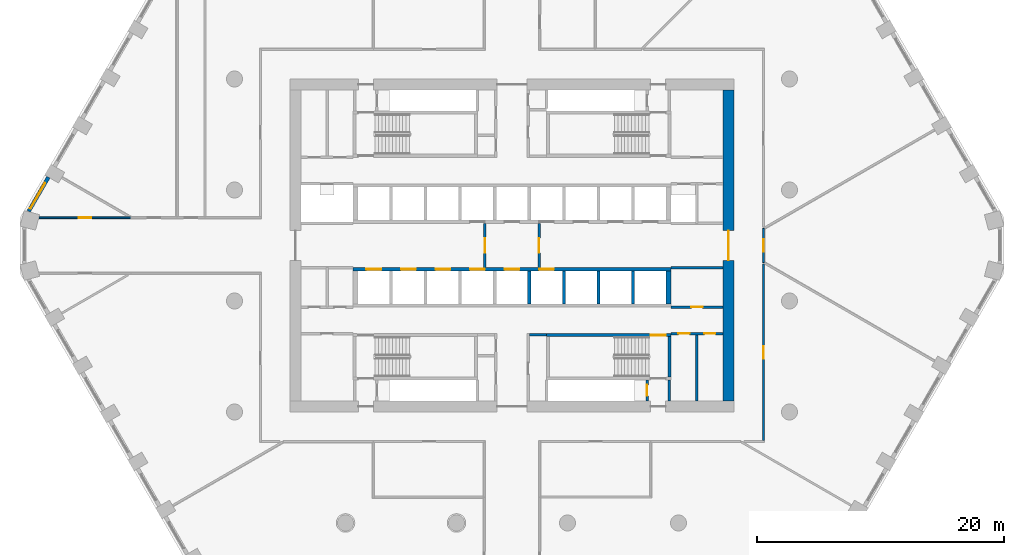
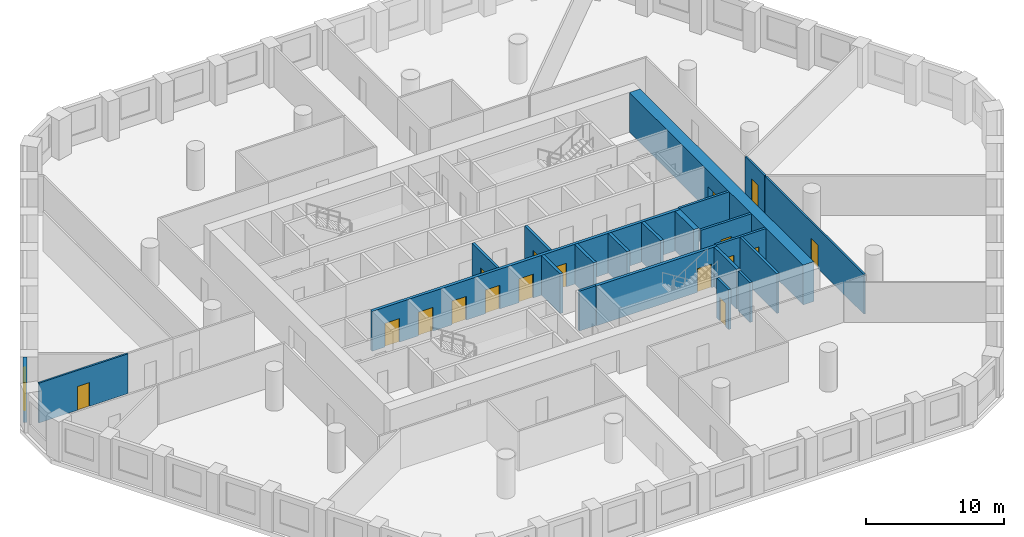
# One storey, part 4 of 14: 22 walls, 17 doors, 1 window, 18 openings.
"""IFC4 building model written with IfcOpenShell, lengths in metres."""

from ifc_helpers import new_model, si_unit, direction, frame, frame_2d, origin, place, context, subcontext, project, spatial, polyline, rectangle, outline, extrude, material, layer, layer_set, type_object, element, fill, save


model = new_model("IFC4")

# Units and contexts
model_context = context("Model", 3, precision=1e-05, world=origin(), true_north=direction((0.0, 1.0)))
body_context = subcontext(model_context, "Body", "Model", "MODEL_VIEW")
ifc_project = project(units=[si_unit("LENGTHUNIT", "METRE"), si_unit("AREAUNIT", "SQUARE_METRE"), si_unit("VOLUMEUNIT", "CUBIC_METRE"), si_unit("PLANEANGLEUNIT", "RADIAN"), si_unit("MASSUNIT", "GRAM", prefix="KILO")], contexts=[model_context])

# Site, building, storey
site_placement = place(None, origin())
site = spatial("IfcSite", under=ifc_project, at=site_placement, CompositionType="ELEMENT")
building_placement = place(site_placement, origin())
building = spatial("IfcBuilding", under=site, at=building_placement, Name="Dhurran Vertical Campus", CompositionType="ELEMENT")
storey_placement = place(building_placement, frame((0.0, 0.0, 96.89990234375)))
storey = spatial("IfcBuildingStorey", under=building, at=storey_placement, Name="L23", CompositionType="ELEMENT", Elevation=96.89990234375)

# Wall, opening, window
ifc_material_1 = material(Name="Precast concrete C50/60", Category="concrete")
ifc_layer_1 = layer(ifc_material_1, 0.300048828125)
ifc_layer_set_1 = layer_set([ifc_layer_1], Name="Precast concrete C50/60")
wall_type_1 = type_object("IfcWallType", Name="Precast spandrel wall 300", PredefinedType="SOLIDWALL", material=ifc_layer_set_1)
wall_1_placement = place(storey_placement, frame((-37.59423828125, 5.538818359375, 0.0), z_axis=(0.0, 0.0, 1.0), x_axis=(-0.500004907028, -0.866022570692, 0.0)))
wall_1 = element("IfcWall", 1, at=wall_1_placement, inside=storey, type_object=wall_type_1, Name="EW1 L23.42", PredefinedType="SOLIDWALL", context=body_context, shape_type="SweptSolid", body=[
    extrude(rectangle(XDim=3.1923828125, YDim=0.300048828125, at=frame_2d((1.59619140625, 0.0))), origin(), (0.0, 0.0, 1.0), 3.525146484375),
])
opening_1_placement = place(wall_1_placement, frame((0.549560546875, 0.0, 0.89990234375)))
opening_1 = element("IfcOpeningElement", 2, at=opening_1_placement, cuts=wall_1, Name="Opening WT1", PredefinedType="OPENING", context=body_context, shape_type="SweptSolid", body=[
    extrude(rectangle(XDim=2.39990234375, YDim=2.10009765625, at=frame_2d((1.199951171875, 1.050048828125))), frame((0.0, 0.159912109375, 0.0), z_axis=(0.0, -1.0, 0.0), x_axis=(1.0, 0.0, 0.0)), (0.0, 0.0, 1.0), 0.320068359375),
])
ifc_material_2 = material(Name="Aluminium frame with solar-control glass", Category="aluminium")
window_type = type_object("IfcWindowType", Name="Punched window 2400 x 2100", PartitioningType="SINGLE_PANEL", PredefinedType="WINDOW", material=ifc_material_2)
window_placement = place(opening_1_placement, origin())
window = element("IfcWindow", 3, at=window_placement, inside=storey, type_object=window_type, Name="WT1 L23.42", OverallHeight=2.10009765625, OverallWidth=2.39990234375, PartitioningType="SINGLE_PANEL", PredefinedType="WINDOW", context=body_context, shape_type="SweptSolid", body=[
    extrude(rectangle(XDim=2.39990234375, YDim=2.10009765625, at=frame_2d((1.199951171875, 1.050048828125))), frame((0.0, 0.030029296875, 0.0), z_axis=(0.0, -1.0, 0.0), x_axis=(1.0, 0.0, 0.0)), (0.0, 0.0, 1.0), 0.06005859375),
])
fill(opening_1, window)

# Wall, opening, door
ifc_material_3 = material(Name="Concrete C60/75", Category="concrete")
ifc_layer_2 = layer(ifc_material_3, 0.89990234375)
ifc_layer_set_2 = layer_set([ifc_layer_2], Name="Concrete C60/75")
wall_type_2 = type_object("IfcWallType", Name="co-CORE-WALL-C0-900", PredefinedType="SHEAR", material=ifc_layer_set_2)
wall_2_placement = place(storey_placement, frame((17.550048828125, -12.60009765625, 0.0), z_axis=(0.0, 0.0, 1.0), x_axis=(0.0, 1.0, 0.0)))
wall_2 = element("IfcWall", 4, at=wall_2_placement, inside=storey, type_object=wall_type_2, Name="Core wall E L23", PredefinedType="SHEAR", context=body_context, shape_type="SweptSolid", body=[
    extrude(rectangle(XDim=25.2001953125, YDim=0.89990234375, at=frame_2d((12.60009765625, 0.0))), origin(), (0.0, 0.0, 1.0), 3.525146484375),
])
opening_2_placement = place(wall_2_placement, frame((11.39990234375, 0.0, 0.0)))
opening_2 = element("IfcOpeningElement", 5, at=opening_2_placement, cuts=wall_2, Name="Opening CL2", PredefinedType="OPENING", context=body_context, shape_type="SweptSolid", body=[
    extrude(rectangle(XDim=2.39990234375, YDim=2.10009765625, at=frame_2d((1.199951171875, 1.050048828125))), frame((0.0, 0.4599609375, 0.0), z_axis=(0.0, -1.0, 0.0), x_axis=(1.0, 0.0, 0.0)), (0.0, 0.0, 1.0), 0.919921875),
])
ifc_material_4 = material(Name="Fire-rated glazed door set")
door_type_1 = type_object("IfcDoorType", Name="co-D-LOBBY 2400x2100", OperationType="DOUBLE_DOOR_DOUBLE_SWING", PredefinedType="DOOR", material=ifc_material_4)
door_1_placement = place(opening_2_placement, origin())
door_1 = element("IfcDoor", 6, at=door_1_placement, inside=storey, type_object=door_type_1, Name="Lift lobby door E L23", OperationType="DOUBLE_DOOR_DOUBLE_SWING", OverallHeight=2.10009765625, OverallWidth=2.39990234375, PredefinedType="DOOR", context=body_context, shape_type="SweptSolid", body=[
    extrude(rectangle(XDim=2.39990234375, YDim=2.10009765625, at=frame_2d((1.199951171875, 1.050048828125))), frame((0.0, 0.02490234375, 0.0), z_axis=(0.0, -1.0, 0.0), x_axis=(1.0, 0.0, 0.0)), (0.0, 0.0, 1.0), 0.050048828125),
])
fill(opening_2, door_1)

ifc_material_5 = material(Name="Fire-rated masonry blockwork", Category="masonry")
ifc_layer_3 = layer(ifc_material_5, 0.199951171875)
ifc_layer_set_3 = layer_set([ifc_layer_3], Name="Fire-rated masonry blockwork")
wall_type_3 = type_object("IfcWallType", Name="co-FIRE-PARTITION-200", PredefinedType="PARTITIONING", material=ifc_layer_set_3)
wall_3_placement = place(storey_placement, frame((-2.199951171875, -1.800048828125, 0.0), z_axis=(0.0, 0.0, 1.0), x_axis=(0.0, 1.0, 0.0)))
wall_3 = element("IfcWall", 7, at=wall_3_placement, inside=storey, type_object=wall_type_3, Name="Firefighting lobby wall W L23", PredefinedType="PARTITIONING", context=body_context, shape_type="SweptSolid", body=[
    extrude(rectangle(XDim=3.60009765625, YDim=0.199951171875, at=frame_2d((1.800048828125, 0.0))), origin(), (0.0, 0.0, 1.0), 3.525146484375),
])
opening_3_placement = place(wall_3_placement, frame((1.199951171875, 0.0, 0.0)))
opening_3 = element("IfcOpeningElement", 8, at=opening_3_placement, cuts=wall_3, Name="Opening FL1", PredefinedType="OPENING", context=body_context, shape_type="SweptSolid", body=[
    extrude(rectangle(XDim=1.199951171875, YDim=2.10009765625, at=frame_2d((0.60009765625, 1.050048828125))), frame((0.0, 0.10986328125, 0.0), z_axis=(0.0, -1.0, 0.0), x_axis=(1.0, 0.0, 0.0)), (0.0, 0.0, 1.0), 0.219970703125),
])
ifc_material_6 = material(Name="Fire-rated steel door set", Category="steel")
door_type_2 = type_object("IfcDoorType", Name="co-D-FFLOBBY 1200x2100", OperationType="SINGLE_SWING_LEFT", PredefinedType="DOOR", material=ifc_material_6)
door_2_placement = place(opening_3_placement, origin())
door_2 = element("IfcDoor", 9, at=door_2_placement, inside=storey, type_object=door_type_2, Name="Firefighting lobby door W L23", OperationType="SINGLE_SWING_LEFT", OverallHeight=2.10009765625, OverallWidth=1.199951171875, PredefinedType="DOOR", context=body_context, shape_type="SweptSolid", body=[
    extrude(rectangle(XDim=1.199951171875, YDim=2.10009765625, at=frame_2d((0.60009765625, 1.050048828125))), frame((0.0, 0.02490234375, 0.0), z_axis=(0.0, -1.0, 0.0), x_axis=(1.0, 0.0, 0.0)), (0.0, 0.0, 1.0), 0.050048828125),
])
fill(opening_3, door_2)

wall_4_placement = place(storey_placement, frame((2.199951171875, -1.800048828125, 0.0), z_axis=(0.0, 0.0, 1.0), x_axis=(0.0, 1.0, 0.0)))
wall_4 = element("IfcWall", 10, at=wall_4_placement, inside=storey, type_object=wall_type_3, Name="Firefighting lobby wall E L23", PredefinedType="PARTITIONING", context=body_context, shape_type="SweptSolid", body=[
    extrude(rectangle(XDim=3.60009765625, YDim=0.199951171875, at=frame_2d((1.800048828125, 0.0))), origin(), (0.0, 0.0, 1.0), 3.525146484375),
])
opening_4_placement = place(wall_4_placement, frame((1.199951171875, 0.0, 0.0)))
opening_4 = element("IfcOpeningElement", 11, at=opening_4_placement, cuts=wall_4, Name="Opening FL2", PredefinedType="OPENING", context=body_context, shape_type="SweptSolid", body=[
    extrude(rectangle(XDim=1.199951171875, YDim=2.10009765625, at=frame_2d((0.60009765625, 1.050048828125))), frame((0.0, 0.10986328125, 0.0), z_axis=(0.0, -1.0, 0.0), x_axis=(1.0, 0.0, 0.0)), (0.0, 0.0, 1.0), 0.219970703125),
])
door_3_placement = place(opening_4_placement, origin())
door_3 = element("IfcDoor", 12, at=door_3_placement, inside=storey, type_object=door_type_2, Name="Firefighting lobby door E L23", OperationType="SINGLE_SWING_LEFT", OverallHeight=2.10009765625, OverallWidth=1.199951171875, PredefinedType="DOOR", context=body_context, shape_type="SweptSolid", body=[
    extrude(rectangle(XDim=1.199951171875, YDim=2.10009765625, at=frame_2d((0.60009765625, 1.050048828125))), frame((0.0, 0.02490234375, 0.0), z_axis=(0.0, -1.0, 0.0), x_axis=(1.0, 0.0, 0.0)), (0.0, 0.0, 1.0), 0.050048828125),
])
fill(opening_4, door_3)

# Walls
wall_5_placement = place(storey_placement, frame((1.39990234375, -7.25, 0.0), z_axis=(0.0, 0.0, 1.0), x_axis=(1.0, 0.0, 0.0)))
element("IfcWall", 13, at=wall_5_placement, inside=storey, type_object=wall_type_3, Name="Core partition sl-SE-S L23", PredefinedType="PARTITIONING", context=body_context, shape_type="SweptSolid", body=[
    extrude(rectangle(XDim=1.400146484375, YDim=0.199951171875, at=frame_2d((0.7001953125, 0.0))), origin(), (0.0, 0.0, 1.0), 3.525146484375),
])
wall_6_placement = place(storey_placement, frame((12.75, -12.60009765625, 0.0), z_axis=(0.0, 0.0, 1.0), x_axis=(0.0, 1.0, 0.0)))
element("IfcWall", 14, at=wall_6_placement, inside=storey, type_object=wall_type_3, Name="Core partition pass-ST4-o L23", PredefinedType="PARTITIONING", context=body_context, shape_type="SweptSolid", body=[
    extrude(rectangle(XDim=1.7001953125, YDim=0.199951171875, at=frame_2d((0.85009765625, 0.0))), origin(), (0.0, 0.0, 1.0), 3.525146484375),
])

# Wall, opening, door
wall_7_placement = place(storey_placement, frame((10.949951171875, -12.60009765625, 0.0), z_axis=(0.0, 0.0, 1.0), x_axis=(0.0, 1.0, 0.0)))
wall_7 = element("IfcWall", 15, at=wall_7_placement, inside=storey, type_object=wall_type_3, Name="Core partition pass-ST4-i L23", PredefinedType="PARTITIONING", context=body_context, shape_type="SweptSolid", body=[
    extrude(rectangle(XDim=1.7001953125, YDim=0.199951171875, at=frame_2d((0.85009765625, 0.0))), origin(), (0.0, 0.0, 1.0), 3.525146484375),
])
opening_5_placement = place(wall_7_placement, frame((0.39990234375, 0.0, 0.0)))
opening_5 = element("IfcOpeningElement", 16, at=opening_5_placement, cuts=wall_7, Name="Opening T06-C11", PredefinedType="OPENING", context=body_context, shape_type="SweptSolid", body=[
    extrude(rectangle(XDim=0.89990234375, YDim=2.10009765625, at=frame_2d((0.449951171875, 1.050048828125))), frame((0.0, 0.10986328125, 0.0), z_axis=(0.0, -1.0, 0.0), x_axis=(1.0, 0.0, 0.0)), (0.0, 0.0, 1.0), 0.219970703125),
])
ifc_material_7 = material(Name="Fire-rated timber door set", Category="wood")
door_type_3 = type_object("IfcDoorType", Name="co-D-ROOM 900x2100", OperationType="SINGLE_SWING_LEFT", PredefinedType="DOOR", material=ifc_material_7)
door_4_placement = place(opening_5_placement, origin())
door_4 = element("IfcDoor", 17, at=door_4_placement, inside=storey, type_object=door_type_3, Name="Riser room door L23", OperationType="SINGLE_SWING_LEFT", OverallHeight=2.10009765625, OverallWidth=0.89990234375, PredefinedType="DOOR", context=body_context, shape_type="SweptSolid", body=[
    extrude(rectangle(XDim=0.89990234375, YDim=2.10009765625, at=frame_2d((0.449951171875, 1.050048828125))), frame((0.0, 0.02490234375, 0.0), z_axis=(0.0, -1.0, 0.0), x_axis=(1.0, 0.0, 0.0)), (0.0, 0.0, 1.0), 0.050048828125),
])
fill(opening_5, door_4)

# Wall
wall_8_placement = place(storey_placement, frame((15.0, -12.60009765625, 0.0), z_axis=(0.0, 0.0, 1.0), x_axis=(0.0, 1.0, 0.0)))
element("IfcWall", 18, at=wall_8_placement, inside=storey, type_object=wall_type_3, Name="Core partition en-SE-cut0 L23", PredefinedType="PARTITIONING", context=body_context, shape_type="SweptSolid", body=[
    extrude(rectangle(XDim=5.4501953125, YDim=0.199951171875, at=frame_2d((2.72509765625, 0.0))), origin(), (0.0, 0.0, 1.0), 3.525146484375),
])

# Wall, openings, doors
wall_9_placement = place(storey_placement, frame((12.89990234375, -7.14990234375, 0.0), z_axis=(0.0, 0.0, 1.0), x_axis=(1.0, 0.0, 0.0)))
wall_9 = element("IfcWall", 19, at=wall_9_placement, inside=storey, type_object=wall_type_3, Name="Core partition en-SE-w L23", PredefinedType="PARTITIONING", context=body_context, shape_type="SweptSolid", body=[
    extrude(rectangle(XDim=4.2001953125, YDim=0.199951171875, at=frame_2d((2.10009765625, 0.0))), origin(), (0.0, 0.0, 1.0), 3.525146484375),
])
opening_6_placement = place(wall_9_placement, frame((0.60009765625, 0.0, 0.0)))
opening_6 = element("IfcOpeningElement", 20, at=opening_6_placement, cuts=wall_9, Name="Opening T06-C21", PredefinedType="OPENING", context=body_context, shape_type="SweptSolid", body=[
    extrude(rectangle(XDim=0.89990234375, YDim=2.10009765625, at=frame_2d((0.449951171875, 1.050048828125))), frame((0.0, 0.10986328125, 0.0), z_axis=(0.0, -1.0, 0.0), x_axis=(1.0, 0.0, 0.0)), (0.0, 0.0, 1.0), 0.219970703125),
])
opening_7_placement = place(wall_9_placement, frame((2.699951171875, 0.0, 0.0)))
opening_7 = element("IfcOpeningElement", 21, at=opening_7_placement, cuts=wall_9, Name="Opening T06-C22", PredefinedType="OPENING", context=body_context, shape_type="SweptSolid", body=[
    extrude(rectangle(XDim=0.89990234375, YDim=2.10009765625, at=frame_2d((0.449951171875, 1.050048828125))), frame((0.0, 0.10986328125, 0.0), z_axis=(0.0, -1.0, 0.0), x_axis=(1.0, 0.0, 0.0)), (0.0, 0.0, 1.0), 0.219970703125),
])
door_5_placement = place(opening_6_placement, origin())
door_5 = element("IfcDoor", 22, at=door_5_placement, inside=storey, type_object=door_type_3, Name="Cleaner's store door L23", OperationType="SINGLE_SWING_LEFT", OverallHeight=2.10009765625, OverallWidth=0.89990234375, PredefinedType="DOOR", context=body_context, shape_type="SweptSolid", body=[
    extrude(rectangle(XDim=0.89990234375, YDim=2.10009765625, at=frame_2d((0.449951171875, 1.050048828125))), frame((0.0, 0.02490234375, 0.0), z_axis=(0.0, -1.0, 0.0), x_axis=(1.0, 0.0, 0.0)), (0.0, 0.0, 1.0), 0.050048828125),
])
fill(opening_6, door_5)
door_6_placement = place(opening_7_placement, origin())
door_6 = element("IfcDoor", 23, at=door_6_placement, inside=storey, type_object=door_type_3, Name="Cleaner's store door L23", OperationType="SINGLE_SWING_LEFT", OverallHeight=2.10009765625, OverallWidth=0.89990234375, PredefinedType="DOOR", context=body_context, shape_type="SweptSolid", body=[
    extrude(rectangle(XDim=0.89990234375, YDim=2.10009765625, at=frame_2d((0.449951171875, 1.050048828125))), frame((0.0, 0.02490234375, 0.0), z_axis=(0.0, -1.0, 0.0), x_axis=(1.0, 0.0, 0.0)), (0.0, 0.0, 1.0), 0.050048828125),
])
fill(opening_7, door_6)

# Wall, opening, door
wall_10_placement = place(storey_placement, frame((12.89990234375, -5.0, 0.0), z_axis=(0.0, 0.0, 1.0), x_axis=(1.0, 0.0, 0.0)))
wall_10 = element("IfcWall", 24, at=wall_10_placement, inside=storey, type_object=wall_type_3, Name="Core partition es-SE-w L23", PredefinedType="PARTITIONING", context=body_context, shape_type="SweptSolid", body=[
    extrude(rectangle(XDim=4.2001953125, YDim=0.199951171875, at=frame_2d((2.10009765625, 0.0))), origin(), (0.0, 0.0, 1.0), 3.525146484375),
])
opening_8_placement = place(wall_10_placement, frame((1.64990234375, 0.0, 0.0)))
opening_8 = element("IfcOpeningElement", 25, at=opening_8_placement, cuts=wall_10, Name="Opening T06-C23", PredefinedType="OPENING", context=body_context, shape_type="SweptSolid", body=[
    extrude(rectangle(XDim=0.89990234375, YDim=2.10009765625, at=frame_2d((0.449951171875, 1.050048828125))), frame((0.0, 0.10986328125, 0.0), z_axis=(0.0, -1.0, 0.0), x_axis=(1.0, 0.0, 0.0)), (0.0, 0.0, 1.0), 0.219970703125),
])
door_7_placement = place(opening_8_placement, origin())
door_7 = element("IfcDoor", 26, at=door_7_placement, inside=storey, type_object=door_type_3, Name="Plant room door L23", OperationType="SINGLE_SWING_LEFT", OverallHeight=2.10009765625, OverallWidth=0.89990234375, PredefinedType="DOOR", context=body_context, shape_type="SweptSolid", body=[
    extrude(rectangle(XDim=0.89990234375, YDim=2.10009765625, at=frame_2d((0.449951171875, 1.050048828125))), frame((0.0, 0.02490234375, 0.0), z_axis=(0.0, -1.0, 0.0), x_axis=(1.0, 0.0, 0.0)), (0.0, 0.0, 1.0), 0.050048828125),
])
fill(opening_8, door_7)

# Wall
wall_11_placement = place(storey_placement, frame((12.89990234375, -1.800048828125, 0.0), z_axis=(0.0, 0.0, 1.0), x_axis=(1.0, 0.0, 0.0)))
element("IfcWall", 27, at=wall_11_placement, inside=storey, type_object=wall_type_3, Name="Core partition es-SE-l L23", PredefinedType="PARTITIONING", context=body_context, shape_type="SweptSolid", body=[
    extrude(rectangle(XDim=4.2001953125, YDim=0.199951171875, at=frame_2d((2.10009765625, 0.0))), origin(), (0.0, 0.0, 1.0), 3.525146484375),
])

# Wall, openings, doors
ifc_material_8 = material(Name="Concrete C50/60", Category="concrete")
ifc_layer_4 = layer(ifc_material_8, 0.25)
ifc_layer_set_4 = layer_set([ifc_layer_4], Name="Concrete C50/60")
wall_type_4 = type_object("IfcWallType", Name="co-SHAFT-FRONT-250", PredefinedType="SHEAR", material=ifc_layer_set_4)
wall_12_placement = place(storey_placement, frame((-12.89990234375, -1.925048828125, 0.0), z_axis=(0.0, 0.0, 1.0), x_axis=(1.0, 0.0, 0.0)))
wall_12 = element("IfcWall", 28, at=wall_12_placement, inside=storey, type_object=wall_type_4, Name="Lift landing wall S L23", PredefinedType="SHEAR", context=body_context, shape_type="SweptSolid", body=[
    extrude(rectangle(XDim=25.7998046875, YDim=0.25, at=frame_2d((12.89990234375, 0.0))), origin(), (0.0, 0.0, 1.0), 3.525146484375),
])
opening_9_placement = place(wall_12_placement, frame((1.10009765625, 0.0, 0.0)))
opening_9 = element("IfcOpeningElement", 29, at=opening_9_placement, cuts=wall_12, Name="Opening LD", PredefinedType="OPENING", context=body_context, shape_type="SweptSolid", body=[
    extrude(rectangle(XDim=1.199951171875, YDim=2.10009765625, at=frame_2d((0.60009765625, 1.050048828125))), frame((0.0, 0.135009765625, 0.0), z_axis=(0.0, -1.0, 0.0), x_axis=(1.0, 0.0, 0.0)), (0.0, 0.0, 1.0), 0.27001953125),
])
opening_10_placement = place(wall_12_placement, frame((3.89990234375, 0.0, 0.0)))
opening_10 = element("IfcOpeningElement", 30, at=opening_10_placement, cuts=wall_12, Name="Opening LD", PredefinedType="OPENING", context=body_context, shape_type="SweptSolid", body=[
    extrude(rectangle(XDim=1.199951171875, YDim=2.10009765625, at=frame_2d((0.60009765625, 1.050048828125))), frame((0.0, 0.135009765625, 0.0), z_axis=(0.0, -1.0, 0.0), x_axis=(1.0, 0.0, 0.0)), (0.0, 0.0, 1.0), 0.27001953125),
])
opening_11_placement = place(wall_12_placement, frame((6.699951171875, 0.0, 0.0)))
opening_11 = element("IfcOpeningElement", 31, at=opening_11_placement, cuts=wall_12, Name="Opening LD", PredefinedType="OPENING", context=body_context, shape_type="SweptSolid", body=[
    extrude(rectangle(XDim=1.199951171875, YDim=2.10009765625, at=frame_2d((0.60009765625, 1.050048828125))), frame((0.0, 0.135009765625, 0.0), z_axis=(0.0, -1.0, 0.0), x_axis=(1.0, 0.0, 0.0)), (0.0, 0.0, 1.0), 0.27001953125),
])
opening_12_placement = place(wall_12_placement, frame((9.5, 0.0, 0.0)))
opening_12 = element("IfcOpeningElement", 32, at=opening_12_placement, cuts=wall_12, Name="Opening LD", PredefinedType="OPENING", context=body_context, shape_type="SweptSolid", body=[
    extrude(rectangle(XDim=1.199951171875, YDim=2.10009765625, at=frame_2d((0.60009765625, 1.050048828125))), frame((0.0, 0.135009765625, 0.0), z_axis=(0.0, -1.0, 0.0), x_axis=(1.0, 0.0, 0.0)), (0.0, 0.0, 1.0), 0.27001953125),
])
opening_13_placement = place(wall_12_placement, frame((12.300048828125, 0.0, 0.0)))
opening_13 = element("IfcOpeningElement", 33, at=opening_13_placement, cuts=wall_12, Name="Opening LD", PredefinedType="OPENING", context=body_context, shape_type="SweptSolid", body=[
    extrude(rectangle(XDim=1.199951171875, YDim=2.10009765625, at=frame_2d((0.60009765625, 1.050048828125))), frame((0.0, 0.135009765625, 0.0), z_axis=(0.0, -1.0, 0.0), x_axis=(1.0, 0.0, 0.0)), (0.0, 0.0, 1.0), 0.27001953125),
])
opening_14_placement = place(wall_12_placement, frame((15.10009765625, 0.0, 0.0)))
opening_14 = element("IfcOpeningElement", 34, at=opening_14_placement, cuts=wall_12, Name="Opening LD", PredefinedType="OPENING", context=body_context, shape_type="SweptSolid", body=[
    extrude(rectangle(XDim=1.199951171875, YDim=2.10009765625, at=frame_2d((0.60009765625, 1.050048828125))), frame((0.0, 0.135009765625, 0.0), z_axis=(0.0, -1.0, 0.0), x_axis=(1.0, 0.0, 0.0)), (0.0, 0.0, 1.0), 0.27001953125),
])
ifc_material_9 = material(Name="Stainless steel landing door", Category="steel")
door_type_4 = type_object("IfcDoorType", Name="co-D-LANDING 1200x2100", OperationType="DOUBLE_DOOR_SLIDING", PredefinedType="DOOR", material=ifc_material_9)
door_8_placement = place(opening_9_placement, origin())
door_8 = element("IfcDoor", 35, at=door_8_placement, inside=storey, type_object=door_type_4, Name="Landing door LR5 L23", OperationType="DOUBLE_DOOR_SLIDING", OverallHeight=2.10009765625, OverallWidth=1.199951171875, PredefinedType="DOOR", context=body_context, shape_type="SweptSolid", body=[
    extrude(rectangle(XDim=1.199951171875, YDim=2.10009765625, at=frame_2d((0.60009765625, 1.050048828125))), frame((0.0, 0.02490234375, 0.0), z_axis=(0.0, -1.0, 0.0), x_axis=(1.0, 0.0, 0.0)), (0.0, 0.0, 1.0), 0.050048828125),
])
fill(opening_9, door_8)
door_9_placement = place(opening_10_placement, origin())
door_9 = element("IfcDoor", 36, at=door_9_placement, inside=storey, type_object=door_type_4, Name="Landing door LR6 L23", OperationType="DOUBLE_DOOR_SLIDING", OverallHeight=2.10009765625, OverallWidth=1.199951171875, PredefinedType="DOOR", context=body_context, shape_type="SweptSolid", body=[
    extrude(rectangle(XDim=1.199951171875, YDim=2.10009765625, at=frame_2d((0.60009765625, 1.050048828125))), frame((0.0, 0.02490234375, 0.0), z_axis=(0.0, -1.0, 0.0), x_axis=(1.0, 0.0, 0.0)), (0.0, 0.0, 1.0), 0.050048828125),
])
fill(opening_10, door_9)
door_10_placement = place(opening_11_placement, origin())
door_10 = element("IfcDoor", 37, at=door_10_placement, inside=storey, type_object=door_type_4, Name="Landing door LR7 L23", OperationType="DOUBLE_DOOR_SLIDING", OverallHeight=2.10009765625, OverallWidth=1.199951171875, PredefinedType="DOOR", context=body_context, shape_type="SweptSolid", body=[
    extrude(rectangle(XDim=1.199951171875, YDim=2.10009765625, at=frame_2d((0.60009765625, 1.050048828125))), frame((0.0, 0.02490234375, 0.0), z_axis=(0.0, -1.0, 0.0), x_axis=(1.0, 0.0, 0.0)), (0.0, 0.0, 1.0), 0.050048828125),
])
fill(opening_11, door_10)
door_11_placement = place(opening_12_placement, origin())
door_11 = element("IfcDoor", 38, at=door_11_placement, inside=storey, type_object=door_type_4, Name="Landing door LR8 L23", OperationType="DOUBLE_DOOR_SLIDING", OverallHeight=2.10009765625, OverallWidth=1.199951171875, PredefinedType="DOOR", context=body_context, shape_type="SweptSolid", body=[
    extrude(rectangle(XDim=1.199951171875, YDim=2.10009765625, at=frame_2d((0.60009765625, 1.050048828125))), frame((0.0, 0.02490234375, 0.0), z_axis=(0.0, -1.0, 0.0), x_axis=(1.0, 0.0, 0.0)), (0.0, 0.0, 1.0), 0.050048828125),
])
fill(opening_12, door_11)
door_12_placement = place(opening_13_placement, origin())
door_12 = element("IfcDoor", 39, at=door_12_placement, inside=storey, type_object=door_type_4, Name="Landing door FF2 L23", OperationType="DOUBLE_DOOR_SLIDING", OverallHeight=2.10009765625, OverallWidth=1.199951171875, PredefinedType="DOOR", context=body_context, shape_type="SweptSolid", body=[
    extrude(rectangle(XDim=1.199951171875, YDim=2.10009765625, at=frame_2d((0.60009765625, 1.050048828125))), frame((0.0, 0.02490234375, 0.0), z_axis=(0.0, -1.0, 0.0), x_axis=(1.0, 0.0, 0.0)), (0.0, 0.0, 1.0), 0.050048828125),
])
fill(opening_13, door_12)
door_13_placement = place(opening_14_placement, origin())
door_13 = element("IfcDoor", 40, at=door_13_placement, inside=storey, type_object=door_type_4, Name="Landing door SV1 L23", OperationType="DOUBLE_DOOR_SLIDING", OverallHeight=2.10009765625, OverallWidth=1.199951171875, PredefinedType="DOOR", context=body_context, shape_type="SweptSolid", body=[
    extrude(rectangle(XDim=1.199951171875, YDim=2.10009765625, at=frame_2d((0.60009765625, 1.050048828125))), frame((0.0, 0.02490234375, 0.0), z_axis=(0.0, -1.0, 0.0), x_axis=(1.0, 0.0, 0.0)), (0.0, 0.0, 1.0), 0.050048828125),
])
fill(opening_14, door_13)

# Walls
ifc_material_10 = material(Name="Concrete C50/60", Category="concrete")
ifc_layer_5 = layer(ifc_material_10, 0.25)
ifc_layer_set_5 = layer_set([ifc_layer_5], Name="Concrete C50/60")
wall_type_5 = type_object("IfcWallType", Name="co-SHAFT-MASS-250", PredefinedType="SHEAR", material=ifc_layer_set_5)
wall_13_placement = place(storey_placement, origin())
element("IfcWall", 41, at=wall_13_placement, inside=storey, type_object=wall_type_5, Name="Lift shaft wall S L23 7", PredefinedType="SHEAR", context=body_context, shape_type="SweptSolid", body=[
    extrude(outline(polyline([(1.27490234375, -4.75), (1.52490234375, -4.75), (1.52490234375, -2.050048828125), (1.27490234375, -2.050048828125), (1.27490234375, -4.75)])), origin(), (0.0, 0.0, 1.0), 3.525146484375),
])
wall_14_placement = place(storey_placement, origin())
element("IfcWall", 42, at=wall_14_placement, inside=storey, type_object=wall_type_5, Name="Lift shaft wall S L23 8", PredefinedType="SHEAR", context=body_context, shape_type="SweptSolid", body=[
    extrude(outline(polyline([(4.074951171875, -4.75), (4.324951171875, -4.75), (4.324951171875, -2.050048828125), (4.074951171875, -2.050048828125), (4.074951171875, -4.75)])), origin(), (0.0, 0.0, 1.0), 3.525146484375),
])
wall_15_placement = place(storey_placement, origin())
element("IfcWall", 43, at=wall_15_placement, inside=storey, type_object=wall_type_5, Name="Lift shaft wall S L23 9", PredefinedType="SHEAR", context=body_context, shape_type="SweptSolid", body=[
    extrude(outline(polyline([(6.875, -4.75), (7.125, -4.75), (7.125, -2.050048828125), (6.875, -2.050048828125), (6.875, -4.75)])), origin(), (0.0, 0.0, 1.0), 3.525146484375),
])
wall_16_placement = place(storey_placement, origin())
element("IfcWall", 44, at=wall_16_placement, inside=storey, type_object=wall_type_5, Name="Lift shaft wall S L23 10", PredefinedType="SHEAR", context=body_context, shape_type="SweptSolid", body=[
    extrude(outline(polyline([(9.675048828125, -4.75), (9.925048828125, -4.75), (9.925048828125, -2.050048828125), (9.675048828125, -2.050048828125), (9.675048828125, -4.75)])), origin(), (0.0, 0.0, 1.0), 3.525146484375),
])
wall_17_placement = place(storey_placement, origin())
element("IfcWall", 45, at=wall_17_placement, inside=storey, type_object=wall_type_5, Name="Lift shaft wall S L23 11", PredefinedType="SHEAR", context=body_context, shape_type="SweptSolid", body=[
    extrude(outline(polyline([(12.47509765625, -4.75), (12.89990234375, -4.75), (12.89990234375, -2.050048828125), (12.47509765625, -2.050048828125), (12.47509765625, -4.75)])), origin(), (0.0, 0.0, 1.0), 3.525146484375),
])

# Wall, opening, door
ifc_material_11 = material(Name="Concrete C40/50", Category="concrete")
ifc_layer_6 = layer(ifc_material_11, 0.25)
ifc_layer_set_6 = layer_set([ifc_layer_6], Name="Concrete C40/50")
wall_type_6 = type_object("IfcWallType", Name="co-STAIR-WALL-250", PredefinedType="SHEAR", material=ifc_layer_set_6)
wall_18_placement = place(storey_placement, frame((2.800048828125, -7.27490234375, 0.0), z_axis=(0.0, 0.0, 1.0), x_axis=(1.0, 0.0, 0.0)))
wall_18 = element("IfcWall", 46, at=wall_18_placement, inside=storey, type_object=wall_type_6, Name="Stair ST4 enclosure wall L23", PredefinedType="SHEAR", context=body_context, shape_type="SweptSolid", body=[
    extrude(rectangle(XDim=10.099853515625, YDim=0.25, at=frame_2d((5.0498046875, 0.0))), origin(), (0.0, 0.0, 1.0), 3.525146484375),
])
opening_15_placement = place(wall_18_placement, frame((8.449951171875, 0.0, 0.0)))
opening_15 = element("IfcOpeningElement", 47, at=opening_15_placement, cuts=wall_18, Name="Opening SD4", PredefinedType="OPENING", context=body_context, shape_type="SweptSolid", body=[
    extrude(rectangle(XDim=1.199951171875, YDim=2.10009765625, at=frame_2d((0.60009765625, 1.050048828125))), frame((0.0, 0.135009765625, 0.0), z_axis=(0.0, -1.0, 0.0), x_axis=(1.0, 0.0, 0.0)), (0.0, 0.0, 1.0), 0.27001953125),
])
ifc_material_12 = material(Name="Fire-rated steel door set", Category="steel")
door_type_5 = type_object("IfcDoorType", Name="co-D-STAIR 1200x2100", OperationType="SINGLE_SWING_LEFT", PredefinedType="DOOR", material=ifc_material_12)
door_14_placement = place(opening_15_placement, origin())
door_14 = element("IfcDoor", 48, at=door_14_placement, inside=storey, type_object=door_type_5, Name="Stair ST4 door L23", OperationType="SINGLE_SWING_LEFT", OverallHeight=2.10009765625, OverallWidth=1.199951171875, PredefinedType="DOOR", context=body_context, shape_type="SweptSolid", body=[
    extrude(rectangle(XDim=1.199951171875, YDim=2.10009765625, at=frame_2d((0.60009765625, 1.050048828125))), frame((0.0, 0.02490234375, 0.0), z_axis=(0.0, -1.0, 0.0), x_axis=(1.0, 0.0, 0.0)), (0.0, 0.0, 1.0), 0.050048828125),
])
fill(opening_15, door_14)

# Wall
wall_19_placement = place(storey_placement, frame((12.77490234375, -10.64990234375, 0.0), z_axis=(0.0, 0.0, 1.0), x_axis=(0.0, 1.0, 0.0)))
element("IfcWall", 49, at=wall_19_placement, inside=storey, type_object=wall_type_6, Name="Stair ST4 enclosure wall L23", PredefinedType="SHEAR", context=body_context, shape_type="SweptSolid", body=[
    extrude(rectangle(XDim=3.25, YDim=0.25, at=frame_2d((1.625, 0.0))), origin(), (0.0, 0.0, 1.0), 3.525146484375),
])

# Wall, opening, door
ifc_material_13 = material(Name="Gypsum board corridor wall on steel studs", Category="steel")
ifc_layer_7 = layer(ifc_material_13, 0.14990234375)
ifc_layer_set_7 = layer_set([ifc_layer_7], Name="Gypsum board corridor wall on steel studs")
wall_type_7 = type_object("IfcWallType", Name="fl-CW-150 corridor wall", PredefinedType="PARTITIONING", material=ifc_layer_set_7)
wall_20_placement = place(storey_placement, frame((-38.35009765625, 2.25, 0.0), z_axis=(0.0, 0.0, 1.0), x_axis=(1.0, 0.0, 0.0)))
wall_20 = element("IfcWall", 50, at=wall_20_placement, inside=storey, type_object=wall_type_7, Name="Partition 23-02", PredefinedType="PARTITIONING", context=body_context, shape_type="SweptSolid", body=[
    extrude(rectangle(XDim=7.453125, YDim=0.14990234375, at=frame_2d((3.7265625, 0.0))), origin(), (0.0, 0.0, 1.0), 3.525146484375),
])
opening_16_placement = place(wall_20_placement, frame((3.2265625, 0.0, 0.0)))
opening_16 = element("IfcOpeningElement", 51, at=opening_16_placement, cuts=wall_20, Name="Opening T06.02", PredefinedType="OPENING", context=body_context, shape_type="SweptSolid", body=[
    extrude(rectangle(XDim=1.0, YDim=2.10009765625, at=frame_2d((0.5, 1.050048828125))), frame((0.0, 0.0849609375, 0.0), z_axis=(0.0, -1.0, 0.0), x_axis=(1.0, 0.0, 0.0)), (0.0, 0.0, 1.0), 0.169921875),
])
ifc_material_14 = material(Name="Solid-core timber door set, fire-rated", Category="wood")
door_type_6 = type_object("IfcDoorType", Name="fl-D-1000x2100", OperationType="SINGLE_SWING_LEFT", PredefinedType="DOOR", material=ifc_material_14)
door_15_placement = place(opening_16_placement, origin())
door_15 = element("IfcDoor", 52, at=door_15_placement, inside=storey, type_object=door_type_6, Name="Door 23.02", OperationType="SINGLE_SWING_LEFT", OverallHeight=2.10009765625, OverallWidth=1.0, PredefinedType="DOOR", context=body_context, shape_type="SweptSolid", body=[
    extrude(rectangle(XDim=1.0, YDim=2.10009765625, at=frame_2d((0.5, 1.050048828125))), frame((0.0, 0.02490234375, 0.0), z_axis=(0.0, -1.0, 0.0), x_axis=(1.0, 0.0, 0.0)), (0.0, 0.0, 1.0), 0.050048828125),
])
fill(opening_16, door_15)

wall_21_placement = place(storey_placement, frame((20.39990234375, -15.824951171875, 0.0), z_axis=(0.0, 0.0, 1.0), x_axis=(0.0, 1.0, 0.0)))
wall_21 = element("IfcWall", 53, at=wall_21_placement, inside=storey, type_object=wall_type_7, Name="Partition 23-44", PredefinedType="PARTITIONING", context=body_context, shape_type="SweptSolid", body=[
    extrude(rectangle(XDim=14.308837890625, YDim=0.14990234375, at=frame_2d((7.154296875, 0.0))), origin(), (0.0, 0.0, 1.0), 3.525146484375),
])
opening_17_placement = place(wall_21_placement, frame((6.654541015625, 0.0, 0.0)))
opening_17 = element("IfcOpeningElement", 54, at=opening_17_placement, cuts=wall_21, Name="Opening T06.15", PredefinedType="OPENING", context=body_context, shape_type="SweptSolid", body=[
    extrude(rectangle(XDim=1.0, YDim=2.10009765625, at=frame_2d((0.5, 1.050048828125))), frame((0.0, 0.0849609375, 0.0), z_axis=(0.0, -1.0, 0.0), x_axis=(1.0, 0.0, 0.0)), (0.0, 0.0, 1.0), 0.169921875),
])
door_16_placement = place(opening_17_placement, origin())
door_16 = element("IfcDoor", 55, at=door_16_placement, inside=storey, type_object=door_type_6, Name="Door 23.15", OperationType="SINGLE_SWING_LEFT", OverallHeight=2.10009765625, OverallWidth=1.0, PredefinedType="DOOR", context=body_context, shape_type="SweptSolid", body=[
    extrude(rectangle(XDim=1.0, YDim=2.10009765625, at=frame_2d((0.5, 1.050048828125))), frame((0.0, 0.02490234375, 0.0), z_axis=(0.0, -1.0, 0.0), x_axis=(1.0, 0.0, 0.0)), (0.0, 0.0, 1.0), 0.050048828125),
])
fill(opening_17, door_16)

wall_22_placement = place(storey_placement, frame((20.39990234375, -1.385986328125, 0.0), z_axis=(0.0, 0.0, 1.0), x_axis=(0.0, 1.0, 0.0)))
wall_22 = element("IfcWall", 56, at=wall_22_placement, inside=storey, type_object=wall_type_7, Name="Partition 23-45", PredefinedType="PARTITIONING", context=body_context, shape_type="SweptSolid", body=[
    extrude(rectangle(XDim=2.77197265625, YDim=0.14990234375, at=frame_2d((1.385986328125, 0.0))), origin(), (0.0, 0.0, 1.0), 3.525146484375),
])
opening_18_placement = place(wall_22_placement, frame((0.885986328125, 0.0, 0.0)))
opening_18 = element("IfcOpeningElement", 57, at=opening_18_placement, cuts=wall_22, Name="Opening T06.16", PredefinedType="OPENING", context=body_context, shape_type="SweptSolid", body=[
    extrude(rectangle(XDim=1.0, YDim=2.10009765625, at=frame_2d((0.5, 1.050048828125))), frame((0.0, 0.0849609375, 0.0), z_axis=(0.0, -1.0, 0.0), x_axis=(1.0, 0.0, 0.0)), (0.0, 0.0, 1.0), 0.169921875),
])
door_17_placement = place(opening_18_placement, origin())
door_17 = element("IfcDoor", 58, at=door_17_placement, inside=storey, type_object=door_type_6, Name="Door 23.16", OperationType="SINGLE_SWING_RIGHT", OverallHeight=2.10009765625, OverallWidth=1.0, PredefinedType="DOOR", context=body_context, shape_type="SweptSolid", body=[
    extrude(rectangle(XDim=1.0, YDim=2.10009765625, at=frame_2d((0.5, 1.050048828125))), frame((0.0, 0.02490234375, 0.0), z_axis=(0.0, -1.0, 0.0), x_axis=(1.0, 0.0, 0.0)), (0.0, 0.0, 1.0), 0.050048828125),
])
fill(opening_18, door_17)

save(model, "model.ifc")
